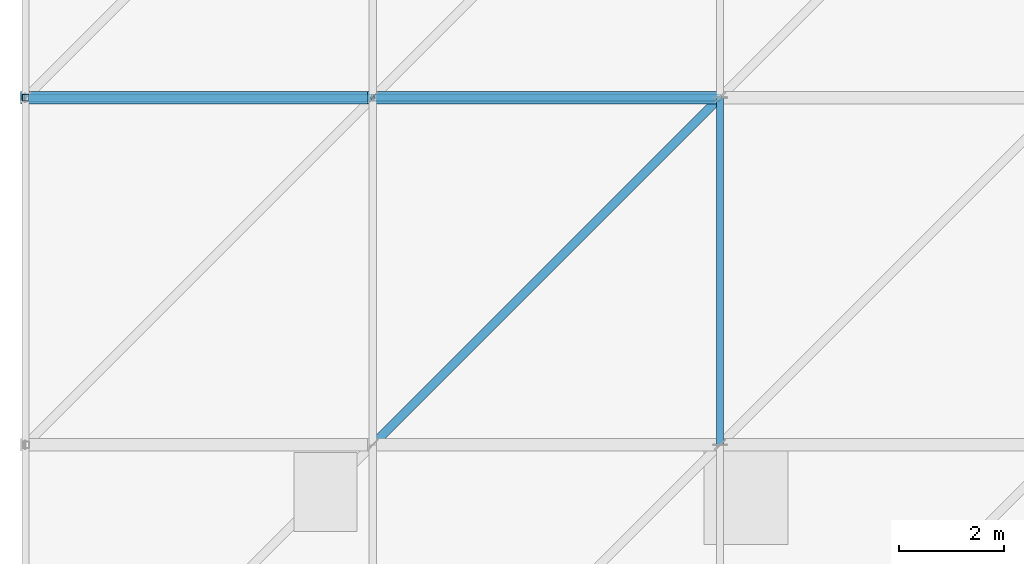
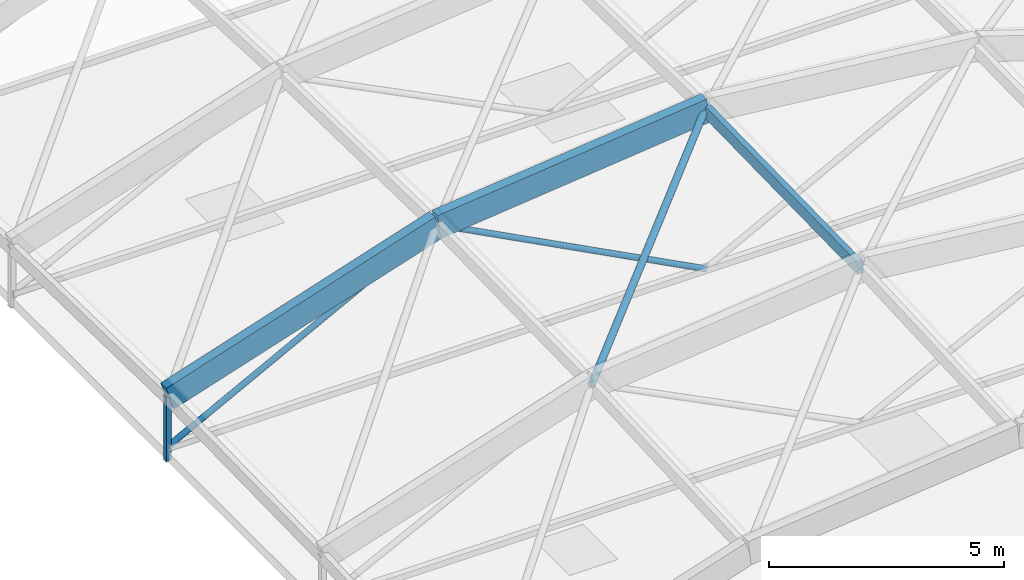
# One storey, part 23 of 157: 7 members.
"""IFC4 building model written with IfcOpenShell, lengths in metres."""

from ifc_helpers import new_model, si_unit, direction, frame, origin, origin_2d, place, context, subcontext, project, spatial, rectangle, hollow_rectangle, hollow_circle, extrude, material, material_profile, profile_set, type_object, element, save


model = new_model("IFC4")

# Units and contexts
model_context = context("Model", 3, precision=1e-05, world=origin(), true_north=direction((0.0, 1.0)))
body_context = subcontext(model_context, "Body", "Model", "MODEL_VIEW")
ifc_project = project(units=[si_unit("LENGTHUNIT", "METRE"), si_unit("AREAUNIT", "SQUARE_METRE"), si_unit("VOLUMEUNIT", "CUBIC_METRE"), si_unit("PLANEANGLEUNIT", "RADIAN"), si_unit("MASSUNIT", "GRAM", prefix="KILO")], contexts=[model_context])

# Site, building, storey
site_placement = place(None, origin())
site = spatial("IfcSite", under=ifc_project, at=site_placement, CompositionType="ELEMENT")
building_placement = place(site_placement, origin())
building = spatial("IfcBuilding", under=site, at=building_placement, Name="Karori Crest Natural Sciences Institute", CompositionType="ELEMENT")
storey_placement = place(building_placement, frame((0.0, 0.0, 13.300048828125)))
storey = spatial("IfcBuildingStorey", under=building, at=storey_placement, Name="L03", CompositionType="ELEMENT", Elevation=13.300048828125)

# Members
ifc_material_1 = material(Name="Hollow structural steel AS/NZS 1163 Grade C350", Category="steel")
ifc_material_profile_1 = material_profile(ifc_material_1, hollow_circle(Radius=0.084228515625, WallThickness=0.007080078125, at=origin_2d()), Name="CHS168.3x7.1")
ifc_profile_set_1 = profile_set([ifc_material_profile_1], Name="Hollow structural steel AS/NZS 1163 Grade C350")
member_type_1 = type_object("IfcMemberType", Name="MT-03", PredefinedType="BRACE", material=ifc_profile_set_1)
member_1_placement = place(storey_placement, frame((7.39990234375, 7.39990234375, 3.425537109375), z_axis=(0.704230381409, 0.704230381409, 0.090106269486), x_axis=(-0.707106781187, 0.707106781187, 0.0)))
element("IfcMember", 1, at=member_1_placement, inside=storey, type_object=member_type_1, Name="Diagonal Brace M-0290", PredefinedType="BRACE", context=body_context, shape_type="SweptSolid", body=[
    extrude(hollow_circle(Radius=0.084228515625, WallThickness=0.007080078125, at=origin_2d()), origin(), (0.0, 0.0, 1.0), 9.3720703125),
])
ifc_material_2 = material(Name="Glulam GL12", Category="wood")
ifc_material_profile_2 = material_profile(ifc_material_2, rectangle(XDim=0.135009765625, YDim=0.31494140625, at=origin_2d()), Name="GL135x315")
ifc_profile_set_2 = profile_set([ifc_material_profile_2], Name="Glulam GL12")
member_type_2 = type_object("IfcMemberType", Name="MT-12", PredefinedType="PURLIN", material=ifc_profile_set_2)
member_2_placement = place(storey_placement, frame((14.0, 7.39990234375, 4.13818359375), z_axis=(0.0, 0.999800562433, 0.019970862755), x_axis=(-1.0, 0.0, 0.0)))
element("IfcMember", 2, at=member_2_placement, inside=storey, type_object=member_type_2, Name="Member M-0293", PredefinedType="PURLIN", context=body_context, shape_type="SweptSolid", body=[
    extrude(rectangle(XDim=0.135009765625, YDim=0.31494140625, at=origin_2d()), origin(), (0.0, 0.0, 1.0), 6.601318359375),
])
ifc_material_profile_3 = material_profile(ifc_material_2, rectangle(XDim=0.239990234375, YDim=0.6298828125, at=origin_2d()), Name="GL240x630")
ifc_profile_set_3 = profile_set([ifc_material_profile_3], Name="Glulam GL12")
member_type_3 = type_object("IfcMemberType", Name="MT-15", PredefinedType="USERDEFINED", material=ifc_profile_set_3)
member_3_placement = place(storey_placement, frame((0.800048828125, 14.0, 1.43994140625), z_axis=(0.951351409962, 0.0, 0.308107927134), x_axis=(0.0, 1.0, 0.0)))
element("IfcMember", 3, at=member_3_placement, inside=storey, type_object=member_type_3, Name="Member M-0303", ObjectType="ARCH_SEGMENT", PredefinedType="USERDEFINED", context=body_context, shape_type="SweptSolid", body=[
    extrude(rectangle(XDim=0.239990234375, YDim=0.6298828125, at=origin_2d()), origin(), (0.0, 0.0, 1.0), 6.937255859375),
])
member_4_placement = place(storey_placement, frame((7.39990234375, 14.0, 3.577392578125), z_axis=(0.994221165478, 0.0, 0.107351171933), x_axis=(0.0, 1.0, 0.0)))
element("IfcMember", 4, at=member_4_placement, inside=storey, type_object=member_type_3, Name="Member M-0307", ObjectType="ARCH_SEGMENT", PredefinedType="USERDEFINED", context=body_context, shape_type="SweptSolid", body=[
    extrude(rectangle(XDim=0.239990234375, YDim=0.6298828125, at=origin_2d()), origin(), (0.0, 0.0, 1.0), 6.638427734375),
])
ifc_material_profile_4 = material_profile(ifc_material_1, hollow_circle(Radius=0.06982421875, WallThickness=0.00634765625, at=origin_2d()), Name="CHS139.7x6.4")
ifc_profile_set_4 = profile_set([ifc_material_profile_4], Name="Hollow structural steel AS/NZS 1163 Grade C350")
member_type_4 = type_object("IfcMemberType", Name="MT-18-IL", PredefinedType="STRUT", material=ifc_profile_set_4)
member_5_placement = place(storey_placement, frame((0.800048828125, 14.0, 0.119873046875), z_axis=(0.885806521003, 0.0, 0.464054746068), x_axis=(0.0, 1.0, 0.0)))
element("IfcMember", 5, at=member_5_placement, inside=storey, type_object=member_type_4, Name="Member M-0304", PredefinedType="STRUT", context=body_context, shape_type="SweptSolid", body=[
    extrude(hollow_circle(Radius=0.06982421875, WallThickness=0.00634765625, at=origin_2d()), origin(), (0.0, 0.0, 1.0), 7.45068359375),
])
member_6_placement = place(storey_placement, frame((14.0, 14.0, 0.119873046875), z_axis=(-0.885813577094, 0.0, 0.464041276866), x_axis=(0.0, -1.0, 0.0)))
element("IfcMember", 6, at=member_6_placement, inside=storey, type_object=member_type_4, Name="Member M-0308", PredefinedType="STRUT", context=body_context, shape_type="SweptSolid", body=[
    extrude(hollow_circle(Radius=0.06982421875, WallThickness=0.00634765625, at=origin_2d()), origin(), (0.0, 0.0, 1.0), 7.450927734375),
])
ifc_material_profile_5 = material_profile(ifc_material_1, hollow_rectangle(XDim=0.125, YDim=0.125, WallThickness=0.006103515625, at=origin_2d()), Name="SHS125x125x6")
ifc_profile_set_5 = profile_set([ifc_material_profile_5], Name="Hollow structural steel AS/NZS 1163 Grade C350")
member_type_5 = type_object("IfcMemberType", Name="MT-20", PredefinedType="STRUT", material=ifc_profile_set_5)
member_7_placement = place(storey_placement, frame((0.800048828125, 14.0, -0.199951171875), z_axis=(0.0, 0.0, 1.0), x_axis=(1.0, 0.0, 0.0)))
element("IfcMember", 7, at=member_7_placement, inside=storey, type_object=member_type_5, Name="Member M-0300", PredefinedType="STRUT", context=body_context, shape_type="SweptSolid", body=[
    extrude(hollow_rectangle(XDim=0.125, YDim=0.125, WallThickness=0.006103515625, at=origin_2d()), origin(), (0.0, 0.0, 1.0), 1.639892578125),
])

save(model, "model.ifc")
